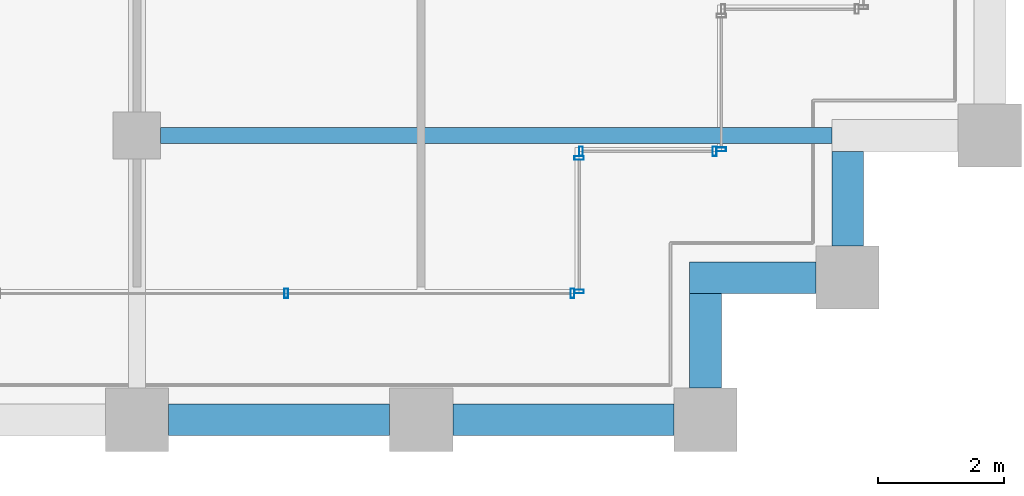
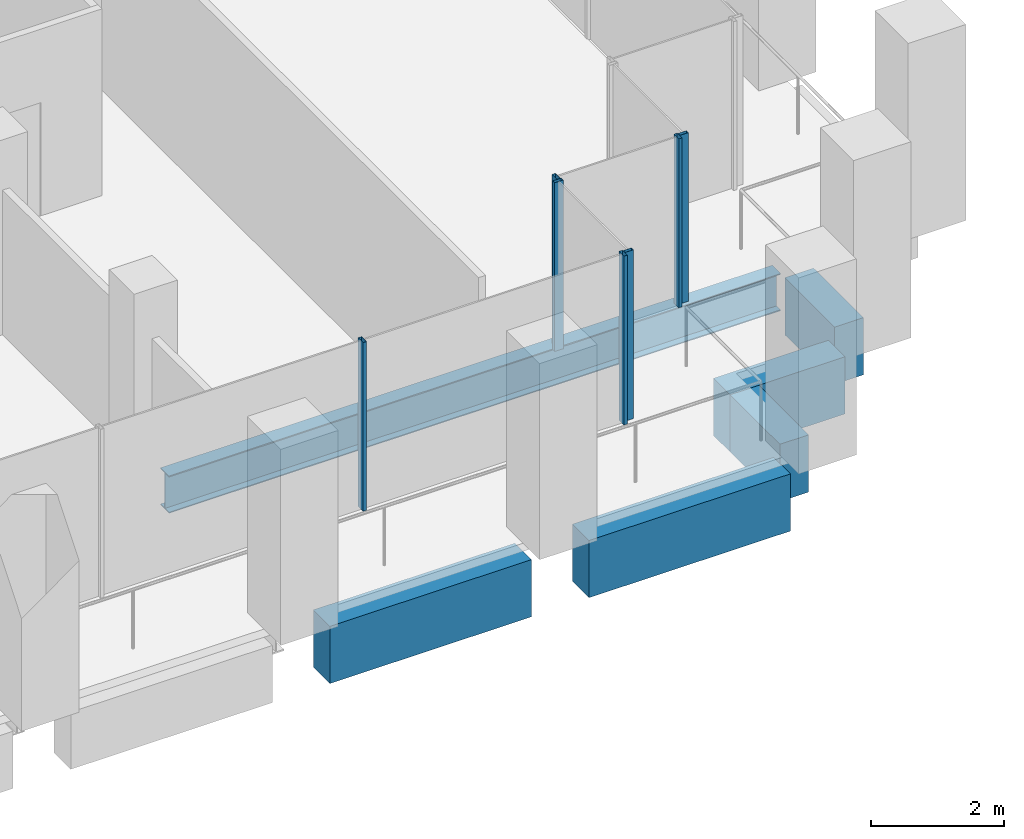
# One storey, part 12 of 46: 7 members, 6 beams, 4 elements without a shape of their own.
"""IFC4 building model written with IfcOpenShell, lengths in metres."""

from ifc_helpers import new_model, si_unit, direction, frame, origin, origin_2d, place, context, subcontext, project, spatial, rectangle, hollow_rectangle, i_section, extrude, material, material_profile, profile_set, type_object, element, aggregate, save


model = new_model("IFC4")

# Units and contexts
model_context = context("Model", 3, precision=1e-05, world=origin(), true_north=direction((0.0, 1.0)))
body_context = subcontext(model_context, "Body", "Model", "MODEL_VIEW")
ifc_project = project(units=[si_unit("LENGTHUNIT", "METRE"), si_unit("AREAUNIT", "SQUARE_METRE"), si_unit("VOLUMEUNIT", "CUBIC_METRE"), si_unit("PLANEANGLEUNIT", "RADIAN"), si_unit("MASSUNIT", "GRAM", prefix="KILO")], contexts=[model_context])

# Site, building, storey
site_placement = place(None, origin())
site = spatial("IfcSite", under=ifc_project, at=site_placement, CompositionType="ELEMENT")
building_placement = place(site_placement, origin())
building = spatial("IfcBuilding", under=site, at=building_placement, Name="Altepetl Exchange Towers", CompositionType="ELEMENT")
storey_placement = place(building_placement, frame((0.0, 0.0, 120.800048828125)))
storey = spatial("IfcBuildingStorey", under=building, at=storey_placement, Name="L29", CompositionType="ELEMENT", Elevation=120.800048828125)

# Beam
ifc_material_1 = material(Name="Steel S355", Category="steel")
ifc_material_profile_1 = material_profile(ifc_material_1, i_section(OverallWidth=0.25390625, OverallDepth=0.68408203125, WebThickness=0.012451171875, FlangeThickness=0.018798828125, at=origin_2d()), Name="W27X94")
ifc_profile_set_1 = profile_set([ifc_material_profile_1], Name="Steel S355")
beam_type_1 = type_object("IfcBeamType", Name="Floor beam W27X94", PredefinedType="BEAM", material=ifc_profile_set_1)
beam_1_placement = place(storey_placement, frame((58.875, 31.5, -0.491943359375), z_axis=(1.0, 0.0, 0.0), x_axis=(0.0, 1.0, 0.0)))
element("IfcBeam", 1, at=beam_1_placement, inside=storey, type_object=beam_type_1, Name="bm:A:L29:006", PredefinedType="BEAM", context=body_context, shape_type="SweptSolid", body=[
    extrude(i_section(OverallWidth=0.25390625, OverallDepth=0.68408203125, WebThickness=0.012451171875, FlangeThickness=0.018798828125, at=origin_2d()), origin(), (0.0, 0.0, 1.0), 10.625),
])

# Curtain wall, members
ifc_material_2 = material(Name="Aluminium 6063-T6 glazing", Category="aluminium")
curtain_wall_type = type_object("IfcCurtainWallType", Name="Loggia glazing system", PredefinedType="NOTDEFINED", material=ifc_material_2)
curtain_wall_1_placement = place(storey_placement, origin())
curtain_wall_1 = element("IfcCurtainWall", 2, at=curtain_wall_1_placement, inside=storey, type_object=curtain_wall_type, Name="CW1 run", PredefinedType="NOTDEFINED")
ifc_material_3 = material(Name="Aluminium 6063-T6", Category="aluminium")
ifc_material_profile_2 = material_profile(ifc_material_3, hollow_rectangle(XDim=0.06005859375, YDim=0.14990234375, WallThickness=0.0029296875, at=origin_2d()), Name="Mullion 60x150 aluminium")
ifc_profile_set_2 = profile_set([ifc_material_profile_2], Name="Aluminium 6063-T6")
member_type = type_object("IfcMemberType", Name="Mullion 60x150 aluminium", PredefinedType="MULLION", material=ifc_profile_set_2)
member_1_placement = place(storey_placement, frame((60.8642578125, 29.0, 0.0)))
member_1 = element("IfcMember", 3, at=member_1_placement, type_object=member_type, Name="MU1 mullion", PredefinedType="MULLION", context=body_context, shape_type="SweptSolid", body=[
    extrude(hollow_rectangle(XDim=0.06005859375, YDim=0.14990234375, WallThickness=0.0029296875, at=origin_2d()), origin(), (0.0, 0.0, 1.0), 3.099853515625),
])
member_2_placement = place(storey_placement, frame((65.39501953125, 29.0, 0.0)))
member_2 = element("IfcMember", 4, at=member_2_placement, type_object=member_type, Name="MU1 mullion", PredefinedType="MULLION", context=body_context, shape_type="SweptSolid", body=[
    extrude(hollow_rectangle(XDim=0.06005859375, YDim=0.14990234375, WallThickness=0.0029296875, at=origin_2d()), origin(), (0.0, 0.0, 1.0), 3.099853515625),
])
aggregate(curtain_wall_1, [member_1, member_2])

curtain_wall_2_placement = place(storey_placement, origin())
curtain_wall_2 = element("IfcCurtainWall", 5, at=curtain_wall_2_placement, inside=storey, type_object=curtain_wall_type, Name="CW1 run", PredefinedType="NOTDEFINED")
member_3_placement = place(storey_placement, frame((65.5, 29.030029296875, 0.0), z_axis=(0.0, 0.0, 1.0), x_axis=(0.0, 1.0, 0.0)))
member_3 = element("IfcMember", 6, at=member_3_placement, type_object=member_type, Name="MU1 mullion", PredefinedType="MULLION", context=body_context, shape_type="SweptSolid", body=[
    extrude(hollow_rectangle(XDim=0.06005859375, YDim=0.14990234375, WallThickness=0.0029296875, at=origin_2d()), origin(), (0.0, 0.0, 1.0), 3.099853515625),
])
member_4_placement = place(storey_placement, frame((65.5, 31.14501953125, 0.0), z_axis=(0.0, 0.0, 1.0), x_axis=(0.0, 1.0, 0.0)))
member_4 = element("IfcMember", 7, at=member_4_placement, type_object=member_type, Name="MU1 mullion", PredefinedType="MULLION", context=body_context, shape_type="SweptSolid", body=[
    extrude(hollow_rectangle(XDim=0.06005859375, YDim=0.14990234375, WallThickness=0.0029296875, at=origin_2d()), origin(), (0.0, 0.0, 1.0), 3.099853515625),
])
aggregate(curtain_wall_2, [member_3, member_4])

curtain_wall_3_placement = place(storey_placement, origin())
curtain_wall_3 = element("IfcCurtainWall", 8, at=curtain_wall_3_placement, inside=storey, type_object=curtain_wall_type, Name="CW1 run", PredefinedType="NOTDEFINED")
member_5_placement = place(storey_placement, frame((65.530029296875, 31.25, 0.0)))
member_5 = element("IfcMember", 9, at=member_5_placement, type_object=member_type, Name="MU1 mullion", PredefinedType="MULLION", context=body_context, shape_type="SweptSolid", body=[
    extrude(hollow_rectangle(XDim=0.06005859375, YDim=0.14990234375, WallThickness=0.0029296875, at=origin_2d()), origin(), (0.0, 0.0, 1.0), 3.099853515625),
])
member_6_placement = place(storey_placement, frame((67.64501953125, 31.25, 0.0)))
member_6 = element("IfcMember", 10, at=member_6_placement, type_object=member_type, Name="MU1 mullion", PredefinedType="MULLION", context=body_context, shape_type="SweptSolid", body=[
    extrude(hollow_rectangle(XDim=0.06005859375, YDim=0.14990234375, WallThickness=0.0029296875, at=origin_2d()), origin(), (0.0, 0.0, 1.0), 3.099853515625),
])
aggregate(curtain_wall_3, [member_5, member_6])

# Curtain wall, member
curtain_wall_4_placement = place(storey_placement, origin())
curtain_wall_4 = element("IfcCurtainWall", 11, at=curtain_wall_4_placement, inside=storey, type_object=curtain_wall_type, Name="CW1 run", PredefinedType="NOTDEFINED")
member_7_placement = place(storey_placement, frame((67.75, 31.280029296875, 0.0), z_axis=(0.0, 0.0, 1.0), x_axis=(0.0, 1.0, 0.0)))
member_7 = element("IfcMember", 12, at=member_7_placement, type_object=member_type, Name="MU1 mullion", PredefinedType="MULLION", context=body_context, shape_type="SweptSolid", body=[
    extrude(hollow_rectangle(XDim=0.06005859375, YDim=0.14990234375, WallThickness=0.0029296875, at=origin_2d()), origin(), (0.0, 0.0, 1.0), 3.099853515625),
])
aggregate(curtain_wall_4, [member_7])

# Beams
ifc_material_4 = material(Name="Concrete C50/60 precast with cantera amarilla facing", Category="concrete")
ifc_material_profile_3 = material_profile(ifc_material_4, rectangle(XDim=0.5, YDim=1.050048828125, at=origin_2d()), Name="500 x 1050")
ifc_profile_set_3 = profile_set([ifc_material_profile_3], Name="Concrete C50/60 precast with cantera amarilla facing")
beam_type_2 = type_object("IfcBeamType", Name="Spandrel beam 500x1050 cantera amarilla", PredefinedType="SPANDREL", material=ifc_profile_set_3)
for number, where, z_axis, x_axis, name in (
    (13, (59.0, 27.0, -0.675048828125), (1.0, 0.0, 0.0), (0.0, 1.0, 0.0), "sp:A:L29:006"),
    (14, (63.5, 27.0, -0.675048828125), (1.0, 0.0, 0.0), (0.0, 1.0, 0.0), "sp:A:L29:007"),
):
    element("IfcBeam", number, at=place(storey_placement, frame(where, z_axis=z_axis, x_axis=x_axis)), inside=storey, type_object=beam_type_2, Name=name, PredefinedType="SPANDREL", context=body_context, shape_type="SweptSolid", body=[
        extrude(rectangle(XDim=0.5, YDim=1.050048828125, at=origin_2d()), origin(), (0.0, 0.0, 1.0), 3.5),
    ])
beam_2_placement = place(storey_placement, frame((67.5, 27.5, -0.675048828125), z_axis=(0.0, 1.0, 0.0), x_axis=(-1.0, 0.0, 0.0)))
element("IfcBeam", 15, at=beam_2_placement, inside=storey, type_object=beam_type_2, Name="sp:A:L29:008", PredefinedType="SPANDREL", context=body_context, shape_type="SweptSolid", body=[
    extrude(rectangle(XDim=0.5, YDim=1.050048828125, at=origin_2d()), origin(), (0.0, 0.0, 1.0), 1.5),
])
beam_3_placement = place(storey_placement, frame((67.25, 29.25, -0.675048828125), z_axis=(1.0, 0.0, 0.0), x_axis=(0.0, 1.0, 0.0)))
element("IfcBeam", 16, at=beam_3_placement, inside=storey, type_object=beam_type_2, Name="sp:A:L29:009", PredefinedType="SPANDREL", context=body_context, shape_type="SweptSolid", body=[
    extrude(rectangle(XDim=0.5, YDim=1.050048828125, at=origin_2d()), origin(), (0.0, 0.0, 1.0), 2.0),
])
beam_4_placement = place(storey_placement, frame((69.75, 29.75, -0.675048828125), z_axis=(0.0, 1.0, 0.0), x_axis=(-1.0, 0.0, 0.0)))
element("IfcBeam", 17, at=beam_4_placement, inside=storey, type_object=beam_type_2, Name="sp:A:L29:010", PredefinedType="SPANDREL", context=body_context, shape_type="SweptSolid", body=[
    extrude(rectangle(XDim=0.5, YDim=1.050048828125, at=origin_2d()), origin(), (0.0, 0.0, 1.0), 1.5),
])

save(model, "model.ifc")
